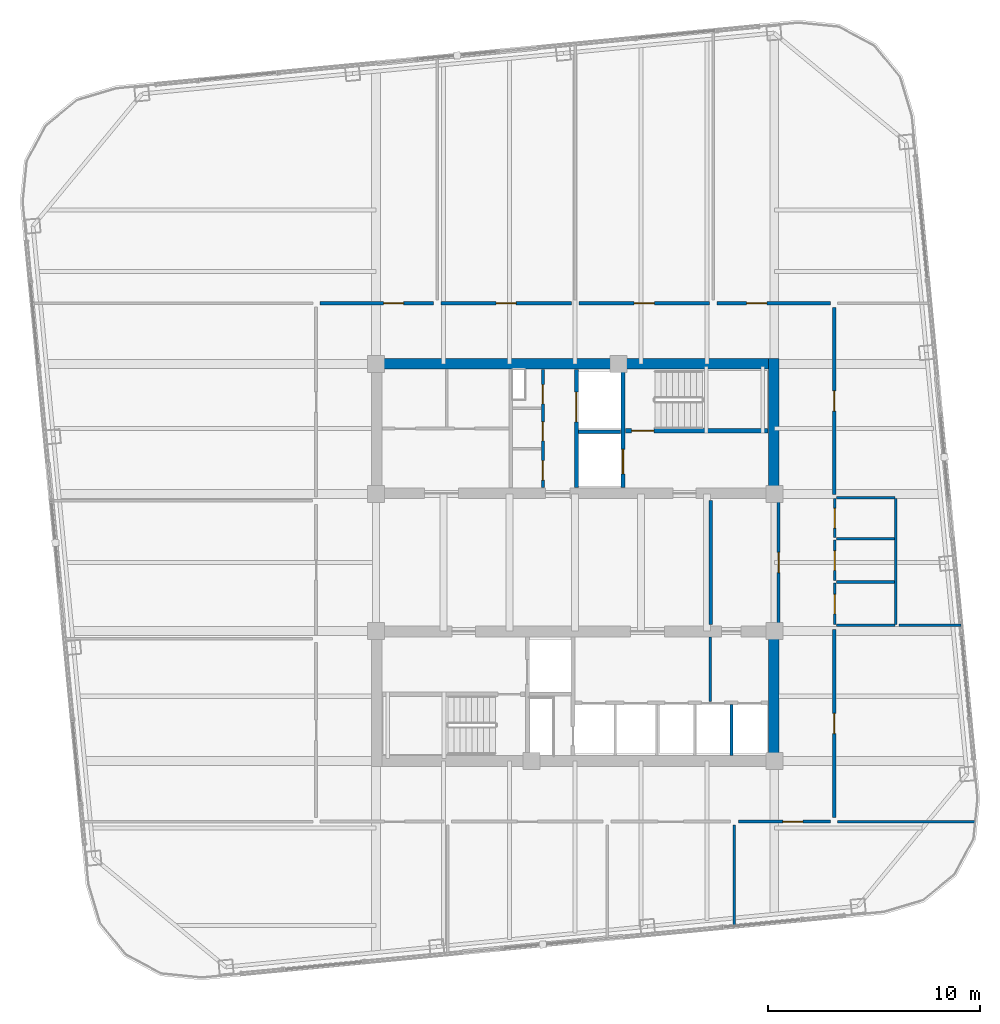
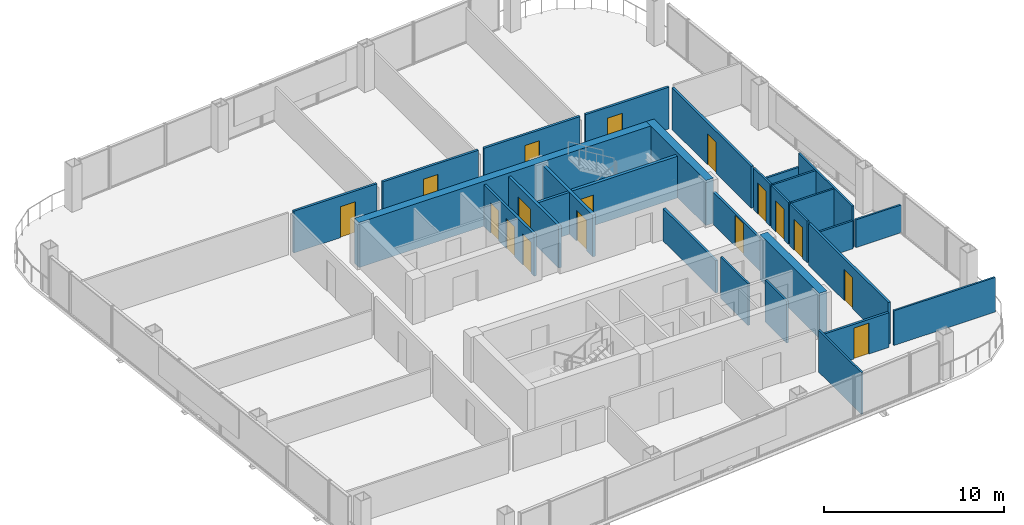
# One storey, part 18 of 22: 30 walls, 17 doors, 17 openings.
"""IFC4 building model written with IfcOpenShell, lengths in metres."""

from ifc_helpers import new_model, si_unit, direction, frame, frame_2d, origin, place, context, subcontext, project, spatial, rectangle, extrude, material, layer, layer_set, type_object, element, fill, save


model = new_model("IFC4")

# Units and contexts
model_context = context("Model", 3, precision=1e-05, world=origin(), true_north=direction((0.0, 1.0)))
body_context = subcontext(model_context, "Body", "Model", "MODEL_VIEW")
ifc_project = project(units=[si_unit("LENGTHUNIT", "METRE"), si_unit("AREAUNIT", "SQUARE_METRE"), si_unit("VOLUMEUNIT", "CUBIC_METRE"), si_unit("PLANEANGLEUNIT", "RADIAN"), si_unit("MASSUNIT", "GRAM", prefix="KILO")], contexts=[model_context])

# Site, building, storey
site_placement = place(None, origin())
site = spatial("IfcSite", under=ifc_project, at=site_placement, CompositionType="ELEMENT")
building_placement = place(site_placement, origin())
building = spatial("IfcBuilding", under=site, at=building_placement, Name="Qhalaya Broadcast Tower", CompositionType="ELEMENT")
storey_placement = place(building_placement, frame((0.0, 0.0, 174.449951171875)))
storey = spatial("IfcBuildingStorey", under=building, at=storey_placement, Name="L51", CompositionType="ELEMENT", Elevation=174.449951171875)

# Wall, openings, doors
ifc_material_1 = material(Name="Gypsum Acoustic Partition")
ifc_layer_1 = layer(ifc_material_1, 0.14990234375, Name="Gypsum Acoustic Partition")
ifc_layer_set_1 = layer_set([ifc_layer_1], Name="Gypsum Acoustic Partition")
wall_type_1 = type_object("IfcWallType", Name="Corridor & Tenancy Acoustic Partition 150", PredefinedType="PARTITIONING", material=ifc_layer_set_1)
wall_1_placement = place(storey_placement, frame((-1.52001953125, 4.1201171875, 0.0), z_axis=(0.0, 0.0, 1.0), x_axis=(0.0, 1.0, 0.0)))
wall_1 = element("IfcWall", 1, at=wall_1_placement, inside=storey, type_object=wall_type_1, Name="L51 Partition Wall NCW-SVL", PredefinedType="PARTITIONING", context=body_context, shape_type="SweptSolid", body=[
    extrude(rectangle(XDim=5.559814453125, YDim=0.14990234375, at=frame_2d((2.77978515625, 0.0))), origin(), (0.0, 0.0, 1.0), 2.830078125),
])
opening_1_placement = place(wall_1_placement, frame((3.949951171875, 0.0, 0.0)))
opening_1 = element("IfcOpeningElement", 2, at=opening_1_placement, cuts=wall_1, Name="Opening D06", PredefinedType="OPENING", context=body_context, shape_type="SweptSolid", body=[
    extrude(rectangle(XDim=0.89990234375, YDim=2.050048828125, at=frame_2d((0.449951171875, 1.02490234375))), frame((0.0, 0.0869140625, 0.0), z_axis=(0.0, -1.0, 0.0), x_axis=(1.0, 0.0, 0.0)), (0.0, 0.0, 1.0), 0.173828125),
])
opening_2_placement = place(wall_1_placement, frame((2.199951171875, 0.0, 0.0)))
opening_2 = element("IfcOpeningElement", 3, at=opening_2_placement, cuts=wall_1, Name="Opening D06", PredefinedType="OPENING", context=body_context, shape_type="SweptSolid", body=[
    extrude(rectangle(XDim=0.89990234375, YDim=2.050048828125, at=frame_2d((0.449951171875, 1.02490234375))), frame((0.0, 0.0869140625, 0.0), z_axis=(0.0, -1.0, 0.0), x_axis=(1.0, 0.0, 0.0)), (0.0, 0.0, 1.0), 0.173828125),
])
opening_3_placement = place(wall_1_placement, frame((0.35009765625, 0.0, 0.0)))
opening_3 = element("IfcOpeningElement", 4, at=opening_3_placement, cuts=wall_1, Name="Opening D12", PredefinedType="OPENING", context=body_context, shape_type="SweptSolid", body=[
    extrude(rectangle(XDim=0.919921875, YDim=2.10009765625, at=frame_2d((0.4599609375, 1.050048828125))), frame((0.0, 0.0869140625, 0.0), z_axis=(0.0, -1.0, 0.0), x_axis=(1.0, 0.0, 0.0)), (0.0, 0.0, 1.0), 0.173828125),
])
ifc_material_2 = material(Name="Timber Veneer Acoustic Door", Category="wood")
door_type_1 = type_object("IfcDoorType", Name="Accessible WC & Restroom Door D12", OperationType="NOTDEFINED", PredefinedType="DOOR", material=ifc_material_2)
door_1_placement = place(opening_3_placement, origin())
door_1 = element("IfcDoor", 5, at=door_1_placement, inside=storey, type_object=door_type_1, Name="L51 Door D-NCWC", OperationType="SINGLE_SWING_RIGHT", OverallHeight=2.10009765625, OverallWidth=0.919921875, PredefinedType="DOOR", context=body_context, shape_type="SweptSolid", body=[
    extrude(rectangle(XDim=0.919921875, YDim=2.10009765625, at=frame_2d((0.4599609375, 1.050048828125))), frame((0.0, 0.02490234375, 0.0), z_axis=(0.0, -1.0, 0.0), x_axis=(1.0, 0.0, 0.0)), (0.0, 0.0, 1.0), 0.050048828125),
])
fill(opening_3, door_1)
ifc_material_3 = material(Name="Fire-Rated Steel Door", Category="steel")
door_type_2 = type_object("IfcDoorType", Name="Riser & Electrical Shaft Access Door D06", OperationType="NOTDEFINED", PredefinedType="DOOR", material=ifc_material_3)
door_2_placement = place(opening_1_placement, origin())
door_2 = element("IfcDoor", 6, at=door_2_placement, inside=storey, type_object=door_type_2, Name="L51 Riser Shaft Access Door D-NRSR", OperationType="SINGLE_SWING_RIGHT", OverallHeight=2.050048828125, OverallWidth=0.89990234375, PredefinedType="DOOR", context=body_context, shape_type="SweptSolid", body=[
    extrude(rectangle(XDim=0.89990234375, YDim=2.050048828125, at=frame_2d((0.449951171875, 1.02490234375))), frame((0.0, 0.02490234375, 0.0), z_axis=(0.0, -1.0, 0.0), x_axis=(1.0, 0.0, 0.0)), (0.0, 0.0, 1.0), 0.050048828125),
])
fill(opening_1, door_2)
door_3_placement = place(opening_2_placement, origin())
door_3 = element("IfcDoor", 7, at=door_3_placement, inside=storey, type_object=door_type_2, Name="L51 Door D-NITR", OperationType="SINGLE_SWING_LEFT", OverallHeight=2.050048828125, OverallWidth=0.89990234375, PredefinedType="DOOR", context=body_context, shape_type="SweptSolid", body=[
    extrude(rectangle(XDim=0.89990234375, YDim=2.050048828125, at=frame_2d((0.449951171875, 1.02490234375))), frame((0.0, 0.02490234375, 0.0), z_axis=(0.0, -1.0, 0.0), x_axis=(1.0, 0.0, 0.0)), (0.0, 0.0, 1.0), 0.050048828125),
])
fill(opening_2, door_3)

# Wall
wall_2_placement = place(storey_placement, frame((6.3798828125, -2.320068359375, 0.0), z_axis=(0.0, 0.0, 1.0), x_axis=(0.0, 1.0, 0.0)))
element("IfcWall", 8, at=wall_2_placement, inside=storey, type_object=wall_type_1, Name="L51 Partition Wall W-ICHW", PredefinedType="PARTITIONING", context=body_context, shape_type="SweptSolid", body=[
    extrude(rectangle(XDim=5.840087890625, YDim=0.14990234375, at=frame_2d((2.919921875, 0.0))), origin(), (0.0, 0.0, 1.0), 2.197998046875),
])

# Wall, opening, door
wall_3_placement = place(storey_placement, frame((9.580078125, -2.320068359375, 0.0), z_axis=(0.0, 0.0, 1.0), x_axis=(0.0, 1.0, 0.0)))
wall_3 = element("IfcWall", 9, at=wall_3_placement, inside=storey, type_object=wall_type_1, Name="L51 Partition Wall W-ICHE", PredefinedType="PARTITIONING", context=body_context, shape_type="SweptSolid", body=[
    extrude(rectangle(XDim=5.840087890625, YDim=0.14990234375, at=frame_2d((2.919921875, 0.0))), origin(), (0.0, 0.0, 1.0), 2.197998046875),
])
opening_4_placement = place(wall_3_placement, frame((2.445068359375, 0.0, 0.0)))
opening_4 = element("IfcOpeningElement", 10, at=opening_4_placement, cuts=wall_3, Name="Opening D10", PredefinedType="OPENING", context=body_context, shape_type="SweptSolid", body=[
    extrude(rectangle(XDim=0.949951171875, YDim=2.10009765625, at=frame_2d((0.47509765625, 1.050048828125))), frame((0.0, 0.0869140625, 0.0), z_axis=(0.0, -1.0, 0.0), x_axis=(1.0, 0.0, 0.0)), (0.0, 0.0, 1.0), 0.173828125),
])
door_type_3 = type_object("IfcDoorType", Name="Cellular Office & Edit Booth Door D10", OperationType="NOTDEFINED", PredefinedType="DOOR", material=ifc_material_2)
door_4_placement = place(opening_4_placement, origin())
door_4 = element("IfcDoor", 11, at=door_4_placement, inside=storey, type_object=door_type_3, Name="L51 Door D-ICHE", OperationType="SINGLE_SWING_RIGHT", OverallHeight=2.10009765625, OverallWidth=0.949951171875, PredefinedType="DOOR", context=body_context, shape_type="SweptSolid", body=[
    extrude(rectangle(XDim=0.949951171875, YDim=2.10009765625, at=frame_2d((0.47509765625, 1.050048828125))), frame((0.0, 0.02490234375, 0.0), z_axis=(0.0, -1.0, 0.0), x_axis=(1.0, 0.0, 0.0)), (0.0, 0.0, 1.0), 0.050048828125),
])
fill(opening_4, door_4)

wall_4_placement = place(storey_placement, frame((-12.02001953125, 12.800048828125, 0.0), z_axis=(0.0, 0.0, 1.0), x_axis=(1.0, 0.0, 0.0)))
wall_4 = element("IfcWall", 12, at=wall_4_placement, inside=storey, type_object=wall_type_1, Name="L51 Partition Wall W-COR-01", PredefinedType="PARTITIONING", context=body_context, shape_type="SweptSolid", body=[
    extrude(rectangle(XDim=5.340087890625, YDim=0.14990234375, at=frame_2d((2.669921875, 0.0))), origin(), (0.0, 0.0, 1.0), 2.830078125),
])
opening_5_placement = place(wall_4_placement, frame((2.9951171875, 0.0, 0.0)))
opening_5 = element("IfcOpeningElement", 13, at=opening_5_placement, cuts=wall_4, Name="Opening D10", PredefinedType="OPENING", context=body_context, shape_type="SweptSolid", body=[
    extrude(rectangle(XDim=0.949951171875, YDim=2.10009765625, at=frame_2d((0.47509765625, 1.050048828125))), frame((0.0, 0.0869140625, 0.0), z_axis=(0.0, -1.0, 0.0), x_axis=(1.0, 0.0, 0.0)), (0.0, 0.0, 1.0), 0.173828125),
])
door_5_placement = place(opening_5_placement, origin())
door_5 = element("IfcDoor", 14, at=door_5_placement, inside=storey, type_object=door_type_3, Name="L51 Door D-RM01", OperationType="SINGLE_SWING_LEFT", OverallHeight=2.10009765625, OverallWidth=0.949951171875, PredefinedType="DOOR", context=body_context, shape_type="SweptSolid", body=[
    extrude(rectangle(XDim=0.949951171875, YDim=2.10009765625, at=frame_2d((0.47509765625, 1.050048828125))), frame((0.0, 0.02490234375, 0.0), z_axis=(0.0, -1.0, 0.0), x_axis=(1.0, 0.0, 0.0)), (0.0, 0.0, 1.0), 0.050048828125),
])
fill(opening_5, door_5)

wall_5_placement = place(storey_placement, frame((-6.320068359375, 12.800048828125, 0.0), z_axis=(0.0, 0.0, 1.0), x_axis=(1.0, 0.0, 0.0)))
wall_5 = element("IfcWall", 15, at=wall_5_placement, inside=storey, type_object=wall_type_1, Name="L51 Partition Wall W-COR-02", PredefinedType="PARTITIONING", context=body_context, shape_type="SweptSolid", body=[
    extrude(rectangle(XDim=6.14013671875, YDim=0.14990234375, at=frame_2d((3.070068359375, 0.0))), origin(), (0.0, 0.0, 1.0), 2.830078125),
])
opening_6_placement = place(wall_5_placement, frame((2.594970703125, 0.0, 0.0)))
opening_6 = element("IfcOpeningElement", 16, at=opening_6_placement, cuts=wall_5, Name="Opening D10", PredefinedType="OPENING", context=body_context, shape_type="SweptSolid", body=[
    extrude(rectangle(XDim=0.949951171875, YDim=2.10009765625, at=frame_2d((0.47509765625, 1.050048828125))), frame((0.0, 0.0869140625, 0.0), z_axis=(0.0, -1.0, 0.0), x_axis=(1.0, 0.0, 0.0)), (0.0, 0.0, 1.0), 0.173828125),
])
door_6_placement = place(opening_6_placement, origin())
door_6 = element("IfcDoor", 17, at=door_6_placement, inside=storey, type_object=door_type_3, Name="L51 Door D-RM02", OperationType="SINGLE_SWING_RIGHT", OverallHeight=2.10009765625, OverallWidth=0.949951171875, PredefinedType="DOOR", context=body_context, shape_type="SweptSolid", body=[
    extrude(rectangle(XDim=0.949951171875, YDim=2.10009765625, at=frame_2d((0.47509765625, 1.050048828125))), frame((0.0, 0.02490234375, 0.0), z_axis=(0.0, -1.0, 0.0), x_axis=(1.0, 0.0, 0.0)), (0.0, 0.0, 1.0), 0.050048828125),
])
fill(opening_6, door_6)

wall_6_placement = place(storey_placement, frame((0.179931640625, 12.800048828125, 0.0), z_axis=(0.0, 0.0, 1.0), x_axis=(1.0, 0.0, 0.0)))
wall_6 = element("IfcWall", 18, at=wall_6_placement, inside=storey, type_object=wall_type_1, Name="L51 Partition Wall W-COR-03", PredefinedType="PARTITIONING", context=body_context, shape_type="SweptSolid", body=[
    extrude(rectangle(XDim=6.14013671875, YDim=0.14990234375, at=frame_2d((3.070068359375, 0.0))), origin(), (0.0, 0.0, 1.0), 2.830078125),
])
opening_7_placement = place(wall_6_placement, frame((2.594970703125, 0.0, 0.0)))
opening_7 = element("IfcOpeningElement", 19, at=opening_7_placement, cuts=wall_6, Name="Opening D10", PredefinedType="OPENING", context=body_context, shape_type="SweptSolid", body=[
    extrude(rectangle(XDim=0.949951171875, YDim=2.10009765625, at=frame_2d((0.47509765625, 1.050048828125))), frame((0.0, 0.0869140625, 0.0), z_axis=(0.0, -1.0, 0.0), x_axis=(1.0, 0.0, 0.0)), (0.0, 0.0, 1.0), 0.173828125),
])
door_7_placement = place(opening_7_placement, origin())
door_7 = element("IfcDoor", 20, at=door_7_placement, inside=storey, type_object=door_type_3, Name="L51 Door D-RM03", OperationType="SINGLE_SWING_LEFT", OverallHeight=2.10009765625, OverallWidth=0.949951171875, PredefinedType="DOOR", context=body_context, shape_type="SweptSolid", body=[
    extrude(rectangle(XDim=0.949951171875, YDim=2.10009765625, at=frame_2d((0.47509765625, 1.050048828125))), frame((0.0, 0.02490234375, 0.0), z_axis=(0.0, -1.0, 0.0), x_axis=(1.0, 0.0, 0.0)), (0.0, 0.0, 1.0), 0.050048828125),
])
fill(opening_7, door_7)

wall_7_placement = place(storey_placement, frame((6.679931640625, 12.800048828125, 0.0), z_axis=(0.0, 0.0, 1.0), x_axis=(1.0, 0.0, 0.0)))
wall_7 = element("IfcWall", 21, at=wall_7_placement, inside=storey, type_object=wall_type_1, Name="L51 Partition Wall W-COR-04", PredefinedType="PARTITIONING", context=body_context, shape_type="SweptSolid", body=[
    extrude(rectangle(XDim=5.340087890625, YDim=0.14990234375, at=frame_2d((2.669921875, 0.0))), origin(), (0.0, 0.0, 1.0), 2.830078125),
])
opening_8_placement = place(wall_7_placement, frame((1.39501953125, 0.0, 0.0)))
opening_8 = element("IfcOpeningElement", 22, at=opening_8_placement, cuts=wall_7, Name="Opening D10", PredefinedType="OPENING", context=body_context, shape_type="SweptSolid", body=[
    extrude(rectangle(XDim=0.949951171875, YDim=2.10009765625, at=frame_2d((0.47509765625, 1.050048828125))), frame((0.0, 0.0869140625, 0.0), z_axis=(0.0, -1.0, 0.0), x_axis=(1.0, 0.0, 0.0)), (0.0, 0.0, 1.0), 0.173828125),
])
door_8_placement = place(opening_8_placement, origin())
door_8 = element("IfcDoor", 23, at=door_8_placement, inside=storey, type_object=door_type_3, Name="L51 Door D-RM04", OperationType="SINGLE_SWING_RIGHT", OverallHeight=2.10009765625, OverallWidth=0.949951171875, PredefinedType="DOOR", context=body_context, shape_type="SweptSolid", body=[
    extrude(rectangle(XDim=0.949951171875, YDim=2.10009765625, at=frame_2d((0.47509765625, 1.050048828125))), frame((0.0, 0.02490234375, 0.0), z_axis=(0.0, -1.0, 0.0), x_axis=(1.0, 0.0, 0.0)), (0.0, 0.0, 1.0), 0.050048828125),
])
fill(opening_8, door_8)

wall_8_placement = place(storey_placement, frame((7.679931640625, -11.60009765625, 0.0), z_axis=(0.0, 0.0, 1.0), x_axis=(1.0, 0.0, 0.0)))
wall_8 = element("IfcWall", 24, at=wall_8_placement, inside=storey, type_object=wall_type_1, Name="L51 Partition Wall W-COR-08", PredefinedType="PARTITIONING", context=body_context, shape_type="SweptSolid", body=[
    extrude(rectangle(XDim=4.340087890625, YDim=0.14990234375, at=frame_2d((2.169921875, 0.0))), origin(), (0.0, 0.0, 1.0), 2.34716796875),
])
opening_9_placement = place(wall_8_placement, frame((2.094970703125, 0.0, 0.0)))
opening_9 = element("IfcOpeningElement", 25, at=opening_9_placement, cuts=wall_8, Name="Opening D10", PredefinedType="OPENING", context=body_context, shape_type="SweptSolid", body=[
    extrude(rectangle(XDim=0.949951171875, YDim=2.10009765625, at=frame_2d((0.47509765625, 1.050048828125))), frame((0.0, 0.0869140625, 0.0), z_axis=(0.0, -1.0, 0.0), x_axis=(1.0, 0.0, 0.0)), (0.0, 0.0, 1.0), 0.173828125),
])
door_9_placement = place(opening_9_placement, origin())
door_9 = element("IfcDoor", 26, at=door_9_placement, inside=storey, type_object=door_type_3, Name="L51 Door D-RM08", OperationType="SINGLE_SWING_RIGHT", OverallHeight=2.10009765625, OverallWidth=0.949951171875, PredefinedType="DOOR", context=body_context, shape_type="SweptSolid", body=[
    extrude(rectangle(XDim=0.949951171875, YDim=2.10009765625, at=frame_2d((0.47509765625, 1.050048828125))), frame((0.0, 0.02490234375, 0.0), z_axis=(0.0, -1.0, 0.0), x_axis=(1.0, 0.0, 0.0)), (0.0, 0.0, 1.0), 0.050048828125),
])
fill(opening_9, door_9)

wall_9_placement = place(storey_placement, frame((12.199951171875, -11.39990234375, 0.0), z_axis=(0.0, 0.0, 1.0), x_axis=(0.0, 1.0, 0.0)))
wall_9 = element("IfcWall", 27, at=wall_9_placement, inside=storey, type_object=wall_type_1, Name="L51 Partition Wall W-COR-12", PredefinedType="PARTITIONING", context=body_context, shape_type="SweptSolid", body=[
    extrude(rectangle(XDim=8.83984375, YDim=0.14990234375, at=frame_2d((4.419921875, 0.0))), origin(), (0.0, 0.0, 1.0), 2.830078125),
])
opening_10_placement = place(wall_9_placement, frame((3.945068359375, 0.0, 0.0)))
opening_10 = element("IfcOpeningElement", 28, at=opening_10_placement, cuts=wall_9, Name="Opening D10", PredefinedType="OPENING", context=body_context, shape_type="SweptSolid", body=[
    extrude(rectangle(XDim=0.949951171875, YDim=2.10009765625, at=frame_2d((0.47509765625, 1.050048828125))), frame((0.0, 0.0869140625, 0.0), z_axis=(0.0, -1.0, 0.0), x_axis=(1.0, 0.0, 0.0)), (0.0, 0.0, 1.0), 0.173828125),
])
door_10_placement = place(opening_10_placement, origin())
door_10 = element("IfcDoor", 29, at=door_10_placement, inside=storey, type_object=door_type_3, Name="L51 Door D-RM12", OperationType="SINGLE_SWING_RIGHT", OverallHeight=2.10009765625, OverallWidth=0.949951171875, PredefinedType="DOOR", context=body_context, shape_type="SweptSolid", body=[
    extrude(rectangle(XDim=0.949951171875, YDim=2.10009765625, at=frame_2d((0.47509765625, 1.050048828125))), frame((0.0, 0.02490234375, 0.0), z_axis=(0.0, -1.0, 0.0), x_axis=(1.0, 0.0, 0.0)), (0.0, 0.0, 1.0), 0.050048828125),
])
fill(opening_10, door_10)

wall_10_placement = place(storey_placement, frame((12.199951171875, 3.800048828125, 0.0), z_axis=(0.0, 0.0, 1.0), x_axis=(0.0, 1.0, 0.0)))
wall_10 = element("IfcWall", 30, at=wall_10_placement, inside=storey, type_object=wall_type_1, Name="L51 Partition Wall W-COR-13", PredefinedType="PARTITIONING", context=body_context, shape_type="SweptSolid", body=[
    extrude(rectangle(XDim=8.800048828125, YDim=0.14990234375, at=frame_2d((4.39990234375, 0.0))), origin(), (0.0, 0.0, 1.0), 2.830078125),
])
opening_11_placement = place(wall_10_placement, frame((3.925048828125, 0.0, 0.0)))
opening_11 = element("IfcOpeningElement", 31, at=opening_11_placement, cuts=wall_10, Name="Opening D10", PredefinedType="OPENING", context=body_context, shape_type="SweptSolid", body=[
    extrude(rectangle(XDim=0.949951171875, YDim=2.10009765625, at=frame_2d((0.47509765625, 1.050048828125))), frame((0.0, 0.0869140625, 0.0), z_axis=(0.0, -1.0, 0.0), x_axis=(1.0, 0.0, 0.0)), (0.0, 0.0, 1.0), 0.173828125),
])
door_11_placement = place(opening_11_placement, origin())
door_11 = element("IfcDoor", 32, at=door_11_placement, inside=storey, type_object=door_type_3, Name="L51 Door D-RM13", OperationType="SINGLE_SWING_LEFT", OverallHeight=2.10009765625, OverallWidth=0.949951171875, PredefinedType="DOOR", context=body_context, shape_type="SweptSolid", body=[
    extrude(rectangle(XDim=0.949951171875, YDim=2.10009765625, at=frame_2d((0.47509765625, 1.050048828125))), frame((0.0, 0.02490234375, 0.0), z_axis=(0.0, -1.0, 0.0), x_axis=(1.0, 0.0, 0.0)), (0.0, 0.0, 1.0), 0.050048828125),
])
fill(opening_11, door_11)

ifc_material_4 = material(Name="Concrete C50/60", Category="concrete")
ifc_layer_2 = layer(ifc_material_4, 0.199951171875, Name="Concrete C50/60")
ifc_layer_set_2 = layer_set([ifc_layer_2], Name="Concrete C50/60")
wall_type_2 = type_object("IfcWallType", Name="Load-Bearing Stair Shaft Wall 200", PredefinedType="SHEAR", material=ifc_layer_set_2)
wall_11_placement = place(storey_placement, frame((2.360107421875, 6.804931640625, 0.0), z_axis=(0.0, 0.0, 1.0), x_axis=(1.0, 0.0, 0.0)))
wall_11 = element("IfcWall", 33, at=wall_11_placement, inside=storey, type_object=wall_type_2, Name="L51 Stair Core Shear Wall NCW-ST1", PredefinedType="SHEAR", context=body_context, shape_type="SweptSolid", body=[
    extrude(rectangle(XDim=6.719970703125, YDim=0.199951171875, at=frame_2d((3.35986328125, 0.0))), origin(), (0.0, 0.0, 1.0), 2.830078125),
])
opening_12_placement = place(wall_11_placement, frame((0.300048828125, 0.0, 0.0)))
opening_12 = element("IfcOpeningElement", 34, at=opening_12_placement, cuts=wall_11, Name="Opening D03", PredefinedType="OPENING", context=body_context, shape_type="SweptSolid", body=[
    extrude(rectangle(XDim=1.050048828125, YDim=2.080078125, at=frame_2d((0.52490234375, 1.0400390625))), frame((0.0, 0.112060546875, 0.0), z_axis=(0.0, -1.0, 0.0), x_axis=(1.0, 0.0, 0.0)), (0.0, 0.0, 1.0), 0.223876953125),
])
door_type_4 = type_object("IfcDoorType", Name="Core Stair Protected Fire Door D03", OperationType="NOTDEFINED", PredefinedType="DOOR", material=ifc_material_3)
door_12_placement = place(opening_12_placement, origin())
door_12 = element("IfcDoor", 35, at=door_12_placement, inside=storey, type_object=door_type_4, Name="L51 Door D-NST1", OperationType="SINGLE_SWING_LEFT", OverallHeight=2.080078125, OverallWidth=1.050048828125, PredefinedType="DOOR", context=body_context, shape_type="SweptSolid", body=[
    extrude(rectangle(XDim=1.050048828125, YDim=2.080078125, at=frame_2d((0.52490234375, 1.0400390625))), frame((0.0, 0.02490234375, 0.0), z_axis=(0.0, -1.0, 0.0), x_axis=(1.0, 0.0, 0.0)), (0.0, 0.0, 1.0), 0.050048828125),
])
fill(opening_12, door_12)

wall_12_placement = place(storey_placement, frame((2.25, 4.1201171875, 0.0), z_axis=(0.0, 0.0, 1.0), x_axis=(0.0, 1.0, 0.0)))
wall_12 = element("IfcWall", 36, at=wall_12_placement, inside=storey, type_object=wall_type_2, Name="L51 Stair Core Shear Wall NCW-FF", PredefinedType="SHEAR", context=body_context, shape_type="SweptSolid", body=[
    extrude(rectangle(XDim=5.559814453125, YDim=0.199951171875, at=frame_2d((2.77978515625, 0.0))), origin(), (0.0, 0.0, 1.0), 2.830078125),
])
opening_13_placement = place(wall_12_placement, frame((0.64990234375, 0.0, 0.0)))
opening_13 = element("IfcOpeningElement", 37, at=opening_13_placement, cuts=wall_12, Name="Opening LD2", PredefinedType="OPENING", context=body_context, shape_type="SweptSolid", body=[
    extrude(rectangle(XDim=1.14990234375, YDim=2.080078125, at=frame_2d((0.574951171875, 1.0400390625))), frame((0.0, 0.112060546875, 0.0), z_axis=(0.0, -1.0, 0.0), x_axis=(1.0, 0.0, 0.0)), (0.0, 0.0, 1.0), 0.223876953125),
])
ifc_material_5 = material(Name="Brushed Stainless Steel Lift Door", Category="steel")
door_type_5 = type_object("IfcDoorType", Name="Firefighting Lift Sliding Landing Door LD2", OperationType="DOUBLE_DOOR_SLIDING", PredefinedType="DOOR", material=ifc_material_5)
door_13_placement = place(opening_13_placement, origin())
door_13 = element("IfcDoor", 38, at=door_13_placement, inside=storey, type_object=door_type_5, Name="L51 Door LD-FF1", OperationType="DOUBLE_DOOR_SLIDING", OverallHeight=2.080078125, OverallWidth=1.14990234375, PredefinedType="DOOR", context=body_context, shape_type="SweptSolid", body=[
    extrude(rectangle(XDim=1.14990234375, YDim=2.080078125, at=frame_2d((0.574951171875, 1.0400390625))), frame((0.0, 0.02490234375, 0.0), z_axis=(0.0, -1.0, 0.0), x_axis=(1.0, 0.0, 0.0)), (0.0, 0.0, 1.0), 0.050048828125),
])
fill(opening_13, door_13)

# Walls
ifc_layer_3 = layer(ifc_material_4, 0.5, Name="Concrete C50/60")
ifc_layer_set_3 = layer_set([ifc_layer_3], Name="Concrete C50/60")
wall_type_3 = type_object("IfcWallType", Name="Mid Split-Core Shear Wall 500", PredefinedType="SHEAR", material=ifc_layer_set_3)
wall_13_placement = place(storey_placement, frame((-9.60009765625, 9.949951171875, 0.0), z_axis=(0.0, 0.0, 1.0), x_axis=(1.0, 0.0, 0.0)))
element("IfcWall", 39, at=wall_13_placement, inside=storey, type_object=wall_type_3, Name="L51 Split-Core Shear Wall CW-NN", PredefinedType="SHEAR", context=body_context, shape_type="SweptSolid", body=[
    extrude(rectangle(XDim=19.2001953125, YDim=0.5, at=frame_2d((9.60009765625, 0.0))), origin(), (0.0, 0.0, 1.0), 3.050048828125),
])
wall_14_placement = place(storey_placement, frame((9.35009765625, 3.60009765625, 0.0), z_axis=(0.0, 0.0, 1.0), x_axis=(0.0, 1.0, 0.0)))
element("IfcWall", 40, at=wall_14_placement, inside=storey, type_object=wall_type_3, Name="L51 Split-Core Shear Wall CW-NE", PredefinedType="SHEAR", context=body_context, shape_type="SweptSolid", body=[
    extrude(rectangle(XDim=6.599853515625, YDim=0.5, at=frame_2d((3.2998046875, 0.0))), origin(), (0.0, 0.0, 1.0), 3.050048828125),
])
wall_15_placement = place(storey_placement, frame((9.35009765625, -9.0, 0.0), z_axis=(0.0, 0.0, 1.0), x_axis=(0.0, 1.0, 0.0)))
element("IfcWall", 41, at=wall_15_placement, inside=storey, type_object=wall_type_3, Name="L51 Split-Core Shear Wall CW-SE", PredefinedType="SHEAR", context=body_context, shape_type="SweptSolid", body=[
    extrude(rectangle(XDim=6.60009765625, YDim=0.5, at=frame_2d((3.300048828125, 0.0))), origin(), (0.0, 0.0, 1.0), 3.050048828125),
])
ifc_layer_4 = layer(ifc_material_1, 0.1201171875, Name="Gypsum Acoustic Partition")
ifc_layer_set_4 = layer_set([ifc_layer_4], Name="Gypsum Acoustic Partition")
wall_type_4 = type_object("IfcWallType", Name="Office, Booth & Sanitary Partition 120", PredefinedType="PARTITIONING", material=ifc_layer_set_4)
wall_16_placement = place(storey_placement, frame((7.360107421875, -8.47998046875, 0.0), z_axis=(0.0, 0.0, 1.0), x_axis=(0.0, 1.0, 0.0)))
element("IfcWall", 42, at=wall_16_placement, inside=storey, type_object=wall_type_4, Name="L51 Partition Wall SCW-HD7", PredefinedType="PARTITIONING", context=body_context, shape_type="SweptSolid", body=[
    extrude(rectangle(XDim=2.3798828125, YDim=0.1201171875, at=frame_2d((1.18994140625, 0.0))), origin(), (0.0, 0.0, 1.0), 2.830078125),
])
wall_17_placement = place(storey_placement, frame((6.35009765625, -5.93994140625, 0.0), z_axis=(0.0, 0.0, 1.0), x_axis=(0.0, 1.0, 0.0)))
element("IfcWall", 43, at=wall_17_placement, inside=storey, type_object=wall_type_4, Name="L51 Partition Wall SCW-LKB", PredefinedType="PARTITIONING", context=body_context, shape_type="SweptSolid", body=[
    extrude(rectangle(XDim=3.02001953125, YDim=0.1201171875, at=frame_2d((1.510009765625, 0.0))), origin(), (0.0, 0.0, 1.0), 2.830078125),
])

# Wall, opening, door
wall_18_placement = place(storey_placement, frame((12.219970703125, -2.320068359375, 0.0), z_axis=(0.0, 0.0, 1.0), x_axis=(0.0, 1.0, 0.0)))
wall_18 = element("IfcWall", 44, at=wall_18_placement, inside=storey, type_object=wall_type_4, Name="L51 Partition Wall W-WCWA", PredefinedType="PARTITIONING", context=body_context, shape_type="SweptSolid", body=[
    extrude(rectangle(XDim=1.940185546875, YDim=0.1201171875, at=frame_2d((0.97021484375, 0.0))), origin(), (0.0, 0.0, 1.0), 2.830078125),
])
opening_14_placement = place(wall_18_placement, frame((0.4951171875, 0.0, 0.0)))
opening_14 = element("IfcOpeningElement", 45, at=opening_14_placement, cuts=wall_18, Name="Opening D12", PredefinedType="OPENING", context=body_context, shape_type="SweptSolid", body=[
    extrude(rectangle(XDim=0.919921875, YDim=2.10009765625, at=frame_2d((0.4599609375, 1.050048828125))), frame((0.0, 0.072021484375, 0.0), z_axis=(0.0, -1.0, 0.0), x_axis=(1.0, 0.0, 0.0)), (0.0, 0.0, 1.0), 0.14404296875),
])
door_14_placement = place(opening_14_placement, origin())
door_14 = element("IfcDoor", 46, at=door_14_placement, inside=storey, type_object=door_type_1, Name="L51 Door D-WCA", OperationType="SINGLE_SWING_LEFT", OverallHeight=2.10009765625, OverallWidth=0.919921875, PredefinedType="DOOR", context=body_context, shape_type="SweptSolid", body=[
    extrude(rectangle(XDim=0.919921875, YDim=2.10009765625, at=frame_2d((0.4599609375, 1.050048828125))), frame((0.0, 0.02490234375, 0.0), z_axis=(0.0, -1.0, 0.0), x_axis=(1.0, 0.0, 0.0)), (0.0, 0.0, 1.0), 0.050048828125),
])
fill(opening_14, door_14)

wall_19_placement = place(storey_placement, frame((12.219970703125, -0.25, 0.0), z_axis=(0.0, 0.0, 1.0), x_axis=(0.0, 1.0, 0.0)))
wall_19 = element("IfcWall", 47, at=wall_19_placement, inside=storey, type_object=wall_type_4, Name="L51 Partition Wall W-WCWM", PredefinedType="PARTITIONING", context=body_context, shape_type="SweptSolid", body=[
    extrude(rectangle(XDim=1.89990234375, YDim=0.1201171875, at=frame_2d((0.949951171875, 0.0))), origin(), (0.0, 0.0, 1.0), 2.830078125),
])
opening_15_placement = place(wall_19_placement, frame((0.47509765625, 0.0, 0.0)))
opening_15 = element("IfcOpeningElement", 48, at=opening_15_placement, cuts=wall_19, Name="Opening D12", PredefinedType="OPENING", context=body_context, shape_type="SweptSolid", body=[
    extrude(rectangle(XDim=0.919921875, YDim=2.10009765625, at=frame_2d((0.4599609375, 1.050048828125))), frame((0.0, 0.072021484375, 0.0), z_axis=(0.0, -1.0, 0.0), x_axis=(1.0, 0.0, 0.0)), (0.0, 0.0, 1.0), 0.14404296875),
])
door_15_placement = place(opening_15_placement, origin())
door_15 = element("IfcDoor", 49, at=door_15_placement, inside=storey, type_object=door_type_1, Name="L51 Door D-WCM", OperationType="SINGLE_SWING_RIGHT", OverallHeight=2.10009765625, OverallWidth=0.919921875, PredefinedType="DOOR", context=body_context, shape_type="SweptSolid", body=[
    extrude(rectangle(XDim=0.919921875, YDim=2.10009765625, at=frame_2d((0.4599609375, 1.050048828125))), frame((0.0, 0.02490234375, 0.0), z_axis=(0.0, -1.0, 0.0), x_axis=(1.0, 0.0, 0.0)), (0.0, 0.0, 1.0), 0.050048828125),
])
fill(opening_15, door_15)

wall_20_placement = place(storey_placement, frame((12.219970703125, 1.780029296875, 0.0), z_axis=(0.0, 0.0, 1.0), x_axis=(0.0, 1.0, 0.0)))
wall_20 = element("IfcWall", 50, at=wall_20_placement, inside=storey, type_object=wall_type_4, Name="L51 Partition Wall W-WCWF", PredefinedType="PARTITIONING", context=body_context, shape_type="SweptSolid", body=[
    extrude(rectangle(XDim=1.830078125, YDim=0.1201171875, at=frame_2d((0.9150390625, 0.0))), origin(), (0.0, 0.0, 1.0), 2.830078125),
])
opening_16_placement = place(wall_20_placement, frame((0.43994140625, 0.0, 0.0)))
opening_16 = element("IfcOpeningElement", 51, at=opening_16_placement, cuts=wall_20, Name="Opening D12", PredefinedType="OPENING", context=body_context, shape_type="SweptSolid", body=[
    extrude(rectangle(XDim=0.919921875, YDim=2.10009765625, at=frame_2d((0.4599609375, 1.050048828125))), frame((0.0, 0.072021484375, 0.0), z_axis=(0.0, -1.0, 0.0), x_axis=(1.0, 0.0, 0.0)), (0.0, 0.0, 1.0), 0.14404296875),
])
door_16_placement = place(opening_16_placement, origin())
door_16 = element("IfcDoor", 52, at=door_16_placement, inside=storey, type_object=door_type_1, Name="L51 Door D-WCF", OperationType="SINGLE_SWING_LEFT", OverallHeight=2.10009765625, OverallWidth=0.919921875, PredefinedType="DOOR", context=body_context, shape_type="SweptSolid", body=[
    extrude(rectangle(XDim=0.919921875, YDim=2.10009765625, at=frame_2d((0.4599609375, 1.050048828125))), frame((0.0, 0.02490234375, 0.0), z_axis=(0.0, -1.0, 0.0), x_axis=(1.0, 0.0, 0.0)), (0.0, 0.0, 1.0), 0.050048828125),
])
fill(opening_16, door_16)

# Walls
wall_21_placement = place(storey_placement, frame((15.10009765625, -2.320068359375, 0.0), z_axis=(0.0, 0.0, 1.0), x_axis=(0.0, 1.0, 0.0)))
element("IfcWall", 53, at=wall_21_placement, inside=storey, type_object=wall_type_4, Name="L51 Partition Wall W-WCE", PredefinedType="PARTITIONING", context=body_context, shape_type="SweptSolid", body=[
    extrude(rectangle(XDim=5.93017578125, YDim=0.1201171875, at=frame_2d((2.965087890625, 0.0))), origin(), (0.0, 0.0, 1.0), 2.830078125),
])
for number, where, z_axis, x_axis, name in (
    (54, (12.31005859375, -2.35009765625, 0.0), (0.0, 0.0, 1.0), (1.0, 0.0, 0.0), "L51 Partition Wall W-WCS"),
    (55, (12.31005859375, 3.639892578125, 0.0), (0.0, 0.0, 1.0), (1.0, 0.0, 0.0), "L51 Partition Wall W-WCN"),
):
    element("IfcWall", number, at=place(storey_placement, frame(where, z_axis=z_axis, x_axis=x_axis)), inside=storey, type_object=wall_type_4, Name=name, PredefinedType="PARTITIONING", context=body_context, shape_type="SweptSolid", body=[
        extrude(rectangle(XDim=2.760009765625, YDim=0.1201171875, at=frame_2d((1.3798828125, 0.0))), origin(), (0.0, 0.0, 1.0), 1.883056640625),
    ])
for number, where, z_axis, x_axis, name in (
    (56, (12.31005859375, -0.320068359375, 0.0), (0.0, 0.0, 1.0), (1.0, 0.0, 0.0), "L51 Partition Wall W-WCD1"),
    (57, (12.31005859375, 1.719970703125, 0.0), (0.0, 0.0, 1.0), (1.0, 0.0, 0.0), "L51 Partition Wall W-WCD2"),
):
    element("IfcWall", number, at=place(storey_placement, frame(where, z_axis=z_axis, x_axis=x_axis)), inside=storey, type_object=wall_type_4, Name=name, PredefinedType="PARTITIONING", context=body_context, shape_type="SweptSolid", body=[
        extrude(rectangle(XDim=2.719970703125, YDim=0.1201171875, at=frame_2d((1.35986328125, 0.0))), origin(), (0.0, 0.0, 1.0), 2.830078125),
    ])
wall_22_placement = place(storey_placement, frame((12.340087890625, -11.60009765625, 0.0), z_axis=(0.0, 0.0, 1.0), x_axis=(1.0, 0.0, 0.0)))
element("IfcWall", 58, at=wall_22_placement, inside=storey, type_object=wall_type_4, Name="L51 Partition Wall W-BNDE2", PredefinedType="PARTITIONING", context=body_context, shape_type="SweptSolid", body=[
    extrude(rectangle(XDim=6.489990234375, YDim=0.1201171875, at=frame_2d((3.2451171875, 0.0))), origin(), (0.0, 0.0, 1.0), 2.34716796875),
])
wall_23_placement = place(storey_placement, frame((7.5, -16.524169921875, 0.0), z_axis=(0.0, 0.0, 1.0), x_axis=(0.0, 1.0, 0.0)))
element("IfcWall", 59, at=wall_23_placement, inside=storey, type_object=wall_type_4, Name="L51 Partition Wall W-DIVS3", PredefinedType="PARTITIONING", context=body_context, shape_type="SweptSolid", body=[
    extrude(rectangle(XDim=4.76416015625, YDim=0.1201171875, at=frame_2d((2.382080078125, 0.0))), origin(), (0.0, 0.0, 1.0), 2.830078125),
])
wall_24_placement = place(storey_placement, frame((15.239990234375, -2.35009765625, 0.0), z_axis=(0.0, 0.0, 1.0), x_axis=(1.0, 0.0, 0.0)))
element("IfcWall", 60, at=wall_24_placement, inside=storey, type_object=wall_type_4, Name="L51 Partition Wall W-DIVE-WC", PredefinedType="PARTITIONING", context=body_context, shape_type="SweptSolid", body=[
    extrude(rectangle(XDim=2.914306640625, YDim=0.1201171875, at=frame_2d((1.45703125, 0.0))), origin(), (0.0, 0.0, 1.0), 1.883056640625),
])

# Wall, opening, door
ifc_layer_5 = layer(ifc_material_1, 0.175048828125, Name="Gypsum Acoustic Partition")
ifc_layer_set_5 = layer_set([ifc_layer_5], Name="Gypsum Acoustic Partition")
wall_type_5 = type_object("IfcWallType", Name="Shaft & Riser Fire Partition 175", PredefinedType="PARTITIONING", material=ifc_layer_set_5)
wall_25_placement = place(storey_placement, frame((0.06005859375, 4.1201171875, 0.0), z_axis=(0.0, 0.0, 1.0), x_axis=(0.0, 1.0, 0.0)))
wall_25 = element("IfcWall", 61, at=wall_25_placement, inside=storey, type_object=wall_type_5, Name="L51 Partition Wall NCW-SVW", PredefinedType="PARTITIONING", context=body_context, shape_type="SweptSolid", body=[
    extrude(rectangle(XDim=5.559814453125, YDim=0.175048828125, at=frame_2d((2.77978515625, 0.0))), origin(), (0.0, 0.0, 1.0), 2.830078125),
])
opening_17_placement = place(wall_25_placement, frame((3.10009765625, 0.0, 0.0)))
opening_17 = element("IfcOpeningElement", 62, at=opening_17_placement, cuts=wall_25, Name="Opening LD3", PredefinedType="OPENING", context=body_context, shape_type="SweptSolid", body=[
    extrude(rectangle(XDim=1.39990234375, YDim=2.1201171875, at=frame_2d((0.699951171875, 1.06005859375))), frame((0.0, 0.099609375, 0.0), z_axis=(0.0, -1.0, 0.0), x_axis=(1.0, 0.0, 0.0)), (0.0, 0.0, 1.0), 0.198974609375),
])
door_type_6 = type_object("IfcDoorType", Name="Service Lift Wide Sliding Landing Door LD3", OperationType="DOUBLE_DOOR_SLIDING", PredefinedType="DOOR", material=ifc_material_5)
door_17_placement = place(opening_17_placement, origin())
door_17 = element("IfcDoor", 63, at=door_17_placement, inside=storey, type_object=door_type_6, Name="L51 Door LD-SV1", OperationType="DOUBLE_DOOR_SLIDING", OverallHeight=2.1201171875, OverallWidth=1.39990234375, PredefinedType="DOOR", context=body_context, shape_type="SweptSolid", body=[
    extrude(rectangle(XDim=1.39990234375, YDim=2.1201171875, at=frame_2d((0.699951171875, 1.06005859375))), frame((0.0, 0.02490234375, 0.0), z_axis=(0.0, -1.0, 0.0), x_axis=(1.0, 0.0, 0.0)), (0.0, 0.0, 1.0), 0.050048828125),
])
fill(opening_17, door_17)

# Wall
wall_26_placement = place(storey_placement, frame((0.159912109375, 6.75, 0.0), z_axis=(0.0, 0.0, 1.0), x_axis=(1.0, 0.0, 0.0)))
element("IfcWall", 64, at=wall_26_placement, inside=storey, type_object=wall_type_5, Name="L51 Partition Wall NCW-SVM", PredefinedType="PARTITIONING", context=body_context, shape_type="SweptSolid", body=[
    extrude(rectangle(XDim=1.97998046875, YDim=0.175048828125, at=frame_2d((0.989990234375, 0.0))), origin(), (0.0, 0.0, 1.0), 2.830078125),
])

save(model, "model.ifc")
